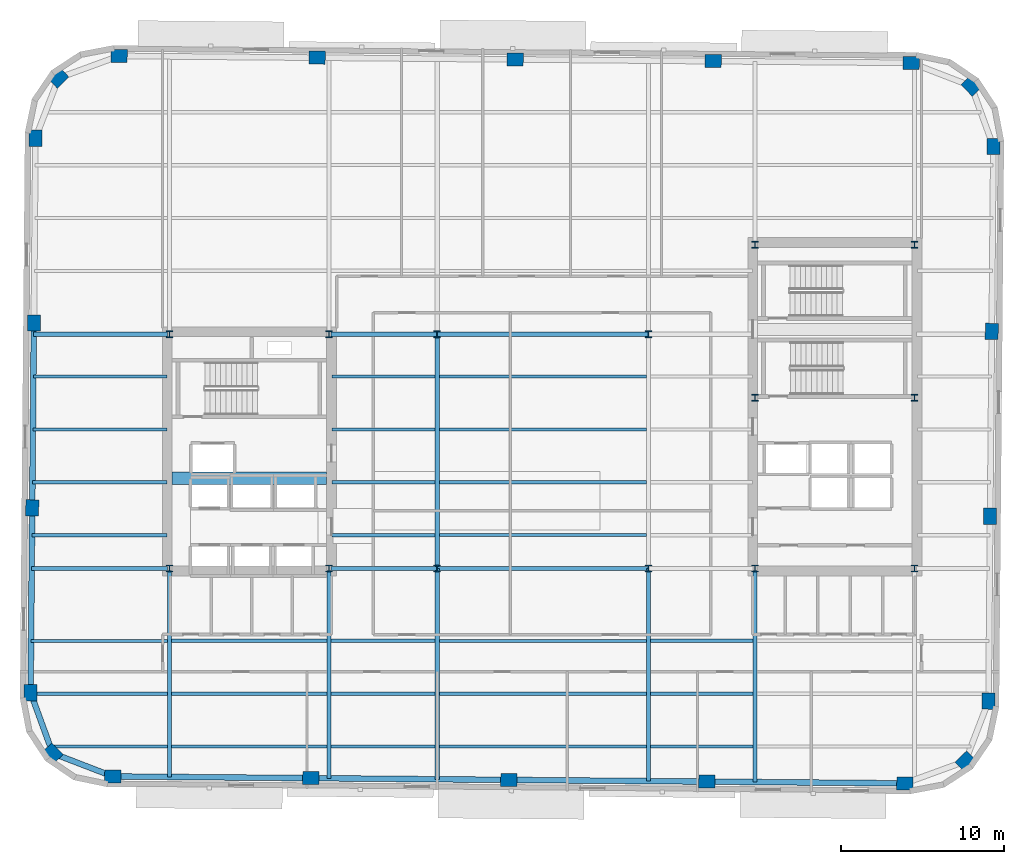
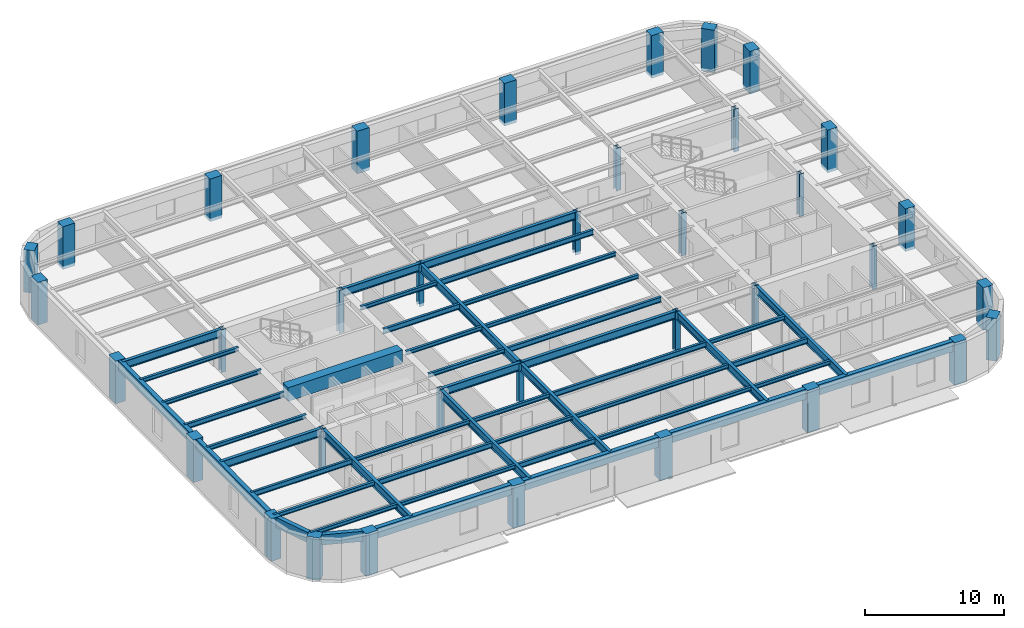
# One storey, part 1 of 11: 48 beams, 36 columns.
"""IFC4 building model written with IfcOpenShell, lengths in metres."""

from ifc_helpers import new_model, si_unit, direction, frame, origin, origin_2d, place, context, subcontext, project, spatial, rectangle, hollow_rectangle, i_section, extrude, material, material_profile, profile_set, type_object, element, save


model = new_model("IFC4")

# Units and contexts
model_context = context("Model", 3, precision=1e-05, world=origin(), true_north=direction((0.0, 1.0)))
body_context = subcontext(model_context, "Body", "Model", "MODEL_VIEW")
ifc_project = project(units=[si_unit("LENGTHUNIT", "METRE"), si_unit("AREAUNIT", "SQUARE_METRE"), si_unit("VOLUMEUNIT", "CUBIC_METRE"), si_unit("PLANEANGLEUNIT", "RADIAN"), si_unit("MASSUNIT", "GRAM", prefix="KILO")], contexts=[model_context])

# Site, building, storey
site_placement = place(None, origin())
site = spatial("IfcSite", under=ifc_project, at=site_placement, CompositionType="ELEMENT")
building_placement = place(site_placement, origin())
building = spatial("IfcBuilding", under=site, at=building_placement, Name="Kolvaren Arena Tower", CompositionType="ELEMENT")
storey_placement = place(building_placement, frame((0.0, 0.0, 162.199951171875)))
storey = spatial("IfcBuildingStorey", under=building, at=storey_placement, Name="L38", CompositionType="ELEMENT", Elevation=162.199951171875)

# Columns
ifc_material_1 = material(Name="Precast concrete C60/75", Category="concrete")
ifc_material_profile_1 = material_profile(ifc_material_1, rectangle(XDim=1.0, YDim=0.800048828125, at=origin_2d()), Name="RC-1000x800")
ifc_profile_set_1 = profile_set([ifc_material_profile_1], Name="Precast concrete C60/75")
column_type_1 = type_object("IfcColumnType", Name="EXCOL-Z3", PredefinedType="COLUMN", material=ifc_profile_set_1)
for number, where, z_axis, x_axis, name in (
    (1, (11.0576171875, 6.663330078125, -0.27001953125), (0.0, 0.0, 1.0), (0.999961923064, -0.008726535498, 0.0), "Exoskeleton Perimeter Column 01 (L38)"),
    (2, (23.232177734375, 6.55712890625, -0.27001953125), (0.0, 0.0, 1.0), (0.999961923064, -0.008726535498, 0.0), "Exoskeleton Perimeter Column 02 (L38)"),
    (3, (35.40673828125, 6.45068359375, -0.27001953125), (0.0, 0.0, 1.0), (0.999961923064, -0.008726535498, 0.0), "Exoskeleton Perimeter Column 03 (L38)"),
    (4, (47.581298828125, 6.344482421875, -0.27001953125), (0.0, 0.0, 1.0), (0.999961923064, -0.008726535498, 0.0), "Exoskeleton Perimeter Column 04 (L38)"),
    (5, (59.755859375, 6.23828125, -0.27001953125), (0.0, 0.0, 1.0), (0.999961923064, -0.008726535498, 0.0), "Exoskeleton Perimeter Column 05 (L38)"),
    (6, (63.4765625, 7.59716796875, -0.27001953125), (0.0, 0.0, 1.0), (0.713250449154, 0.7009092643, 0.0), "Exoskeleton Perimeter Column 06 (L38)"),
    (7, (64.900146484375, 11.293701171875, -0.27001953125), (0.0, 0.0, 1.0), (0.008726535498, 0.999961923064, 0.0), "Exoskeleton Perimeter Column 07 (L38)"),
    (8, (64.999267578125, 22.659912109375, -0.27001953125), (0.0, 0.0, 1.0), (0.008726535498, 0.999961923064, 0.0), "Exoskeleton Perimeter Column 08 (L38)"),
    (9, (65.098388671875, 34.026123046875, -0.27001953125), (0.0, 0.0, 1.0), (0.008726535498, 0.999961923064, 0.0), "Exoskeleton Perimeter Column 09 (L38)"),
    (10, (65.19775390625, 45.392333984375, -0.27001953125), (0.0, 0.0, 1.0), (0.008726535498, 0.999961923064, 0.0), "Exoskeleton Perimeter Column 10 (L38)"),
    (11, (63.8388671875, 49.113037109375, -0.27001953125), (0.0, 0.0, 1.0), (-0.7009092643, 0.713250449154, 0.0), "Exoskeleton Perimeter Column 11 (L38)"),
    (12, (60.142333984375, 50.53662109375, -0.27001953125), (0.0, 0.0, 1.0), (0.999961923064, -0.008726535498, 0.0), "Exoskeleton Perimeter Column 12 (L38)"),
    (13, (47.9677734375, 50.642822265625, -0.27001953125), (0.0, 0.0, 1.0), (0.999961923064, -0.008726535498, 0.0), "Exoskeleton Perimeter Column 13 (L38)"),
    (14, (35.793212890625, 50.749267578125, -0.27001953125), (0.0, 0.0, 1.0), (0.999961923064, -0.008726535498, 0.0), "Exoskeleton Perimeter Column 14 (L38)"),
    (15, (23.618896484375, 50.85546875, -0.27001953125), (0.0, 0.0, 1.0), (0.999961923064, -0.008726535498, 0.0), "Exoskeleton Perimeter Column 15 (L38)"),
    (16, (11.444091796875, 50.961669921875, -0.27001953125), (0.0, 0.0, 1.0), (0.999961923064, -0.008726535498, 0.0), "Exoskeleton Perimeter Column 16 (L38)"),
    (17, (7.723388671875, 49.602783203125, -0.27001953125), (0.0, 0.0, 1.0), (0.713250449154, 0.7009092643, 0.0), "Exoskeleton Perimeter Column 17 (L38)"),
    (18, (6.2998046875, 45.90625, -0.27001953125), (0.0, 0.0, 1.0), (0.008726535498, 0.999961923064, 0.0), "Exoskeleton Perimeter Column 18 (L38)"),
    (19, (6.20068359375, 34.5400390625, -0.27001953125), (0.0, 0.0, 1.0), (0.008726535498, 0.999961923064, 0.0), "Exoskeleton Perimeter Column 19 (L38)"),
    (20, (6.1015625, 23.173828125, -0.27001953125), (0.0, 0.0, 1.0), (0.008726535498, 0.999961923064, 0.0), "Exoskeleton Perimeter Column 20 (L38)"),
    (21, (6.002197265625, 11.8076171875, -0.27001953125), (0.0, 0.0, 1.0), (0.008726535498, 0.999961923064, 0.0), "Exoskeleton Perimeter Column 21 (L38)"),
    (22, (7.361083984375, 8.0869140625, -0.27001953125), (0.0, 0.0, 1.0), (-0.7009092643, 0.713250449154, 0.0), "Exoskeleton Perimeter Column 22 (L38)"),
):
    element("IfcColumn", number, at=place(storey_placement, frame(where, z_axis=z_axis, x_axis=x_axis)), inside=storey, type_object=column_type_1, Name=name, PredefinedType="COLUMN", context=body_context, shape_type="SweptSolid", body=[
        extrude(rectangle(XDim=1.0, YDim=0.800048828125, at=origin_2d()), origin(), (0.0, 0.0, 1.0), 3.75),
    ])
ifc_material_2 = material(Name="Steel ASTM A913 Grade 65", Category="steel")
ifc_material_profile_2 = material_profile(ifc_material_2, i_section(OverallWidth=0.406005859375, OverallDepth=0.416015625, WebThickness=0.02978515625, FlangeThickness=0.048095703125, FilletRadius=0.02001953125, at=origin_2d()), Name="W360x382")
ifc_profile_set_2 = profile_set([ifc_material_profile_2], Name="Steel ASTM A913 Grade 65")
column_type_2 = type_object("IfcColumnType", Name="SCOL-Z3", PredefinedType="COLUMN", material=ifc_profile_set_2)
for number, where, z_axis, x_axis, name in (
    (23, (14.550048828125, 19.449951171875, -0.27001953125), (0.0, 0.0, 1.0), (1.0, 0.0, 0.0), "Core Boundary Column WC-SW (L38)"),
    (24, (24.35009765625, 19.449951171875, -0.27001953125), (0.0, 0.0, 1.0), (1.0, 0.0, 0.0), "Core Boundary Column WC-SE (L38)"),
    (25, (14.550048828125, 33.85009765625, -0.27001953125), (0.0, 0.0, 1.0), (1.0, 0.0, 0.0), "Core Boundary Column WC-NW (L38)"),
    (26, (24.35009765625, 33.85009765625, -0.27001953125), (0.0, 0.0, 1.0), (1.0, 0.0, 0.0), "Core Boundary Column WC-NE (L38)"),
    (27, (50.550048828125, 19.449951171875, -0.27001953125), (0.0, 0.0, 1.0), (1.0, 0.0, 0.0), "Core Boundary Column EC-SW (L38)"),
    (28, (60.35009765625, 19.449951171875, -0.27001953125), (0.0, 0.0, 1.0), (1.0, 0.0, 0.0), "Core Boundary Column EC-SE (L38)"),
    (29, (50.550048828125, 29.949951171875, -0.27001953125), (0.0, 0.0, 1.0), (1.0, 0.0, 0.0), "Core Boundary Column EC-MW (L38)"),
    (30, (60.35009765625, 29.949951171875, -0.27001953125), (0.0, 0.0, 1.0), (1.0, 0.0, 0.0), "Core Boundary Column EC-ME (L38)"),
    (31, (50.550048828125, 39.35009765625, -0.27001953125), (0.0, 0.0, 1.0), (1.0, 0.0, 0.0), "Core Boundary Column EC-NW (L38)"),
    (32, (60.35009765625, 39.35009765625, -0.27001953125), (0.0, 0.0, 1.0), (1.0, 0.0, 0.0), "Core Boundary Column EC-NE (L38)"),
    (33, (31.0, 19.449951171875, -0.27001953125), (0.0, 0.0, 1.0), (1.0, 0.0, 0.0), "Interior Gravity Column TC-SW (L38)"),
    (34, (44.0, 19.449951171875, -0.27001953125), (0.0, 0.0, 1.0), (1.0, 0.0, 0.0), "Interior Gravity Column TC-SE (L38)"),
    (35, (31.0, 33.85009765625, -0.27001953125), (0.0, 0.0, 1.0), (1.0, 0.0, 0.0), "Interior Gravity Column TC-NW (L38)"),
    (36, (44.0, 33.85009765625, -0.27001953125), (0.0, 0.0, 1.0), (1.0, 0.0, 0.0), "Interior Gravity Column TC-NE (L38)"),
):
    element("IfcColumn", number, at=place(storey_placement, frame(where, z_axis=z_axis, x_axis=x_axis)), inside=storey, type_object=column_type_2, Name=name, PredefinedType="COLUMN", context=body_context, shape_type="SweptSolid", body=[
        extrude(i_section(OverallWidth=0.406005859375, OverallDepth=0.416015625, WebThickness=0.02978515625, FlangeThickness=0.048095703125, FilletRadius=0.02001953125, at=origin_2d()), origin(), (0.0, 0.0, 1.0), 3.75),
    ])

# Beams
ifc_material_3 = material(Name="Steel CSA G40.21 350W", Category="steel")
ifc_material_profile_3 = material_profile(ifc_material_3, i_section(OverallWidth=0.193115234375, OverallDepth=0.462890625, WebThickness=0.0107421875, FlangeThickness=0.0205078125, FilletRadius=0.012939453125, at=origin_2d()), Name="W460x113")
ifc_profile_set_3 = profile_set([ifc_material_profile_3], Name="Steel CSA G40.21 350W")
beam_type_1 = type_object("IfcBeamType", Name="BEAM-F2", PredefinedType="BEAM", material=ifc_profile_set_3)
beam_1_placement = place(storey_placement, frame((24.4775390625, 8.5, 3.24853515625), z_axis=(1.0, 0.0, 0.0), x_axis=(0.0, 1.0, 0.0)))
element("IfcBeam", 37, at=beam_1_placement, inside=storey, type_object=beam_type_1, Name="Composite Floor Beam (L38)", PredefinedType="BEAM", context=body_context, shape_type="SweptSolid", body=[
    extrude(i_section(OverallWidth=0.193115234375, OverallDepth=0.462890625, WebThickness=0.0107421875, FlangeThickness=0.0205078125, FilletRadius=0.012939453125, at=origin_2d()), origin(), (0.0, 0.0, 1.0), 6.39501953125),
])
beam_2_placement = place(storey_placement, frame((14.677490234375, 11.75, 3.24853515625), z_axis=(1.0, 0.0, 0.0), x_axis=(0.0, 1.0, 0.0)))
element("IfcBeam", 38, at=beam_2_placement, inside=storey, type_object=beam_type_1, Name="Composite Floor Beam (L38)", PredefinedType="BEAM", context=body_context, shape_type="SweptSolid", body=[
    extrude(i_section(OverallWidth=0.193115234375, OverallDepth=0.462890625, WebThickness=0.0107421875, FlangeThickness=0.0205078125, FilletRadius=0.012939453125, at=origin_2d()), origin(), (0.0, 0.0, 1.0), 9.544921875),
])
beam_3_placement = place(storey_placement, frame((44.12744140625, 11.75, 3.24853515625), z_axis=(1.0, 0.0, 0.0), x_axis=(0.0, 1.0, 0.0)))
element("IfcBeam", 39, at=beam_3_placement, inside=storey, type_object=beam_type_1, Name="Composite Floor Beam (L38)", PredefinedType="BEAM", context=body_context, shape_type="SweptSolid", body=[
    extrude(i_section(OverallWidth=0.193115234375, OverallDepth=0.462890625, WebThickness=0.0107421875, FlangeThickness=0.0205078125, FilletRadius=0.012939453125, at=origin_2d()), origin(), (0.0, 0.0, 1.0), 6.295166015625),
])
beam_4_placement = place(storey_placement, frame((6.0302734375, 15.0, 3.24853515625), z_axis=(1.0, 0.0, 0.0), x_axis=(0.0, 1.0, 0.0)))
element("IfcBeam", 40, at=beam_4_placement, inside=storey, type_object=beam_type_1, Name="Composite Floor Beam (L38)", PredefinedType="BEAM", context=body_context, shape_type="SweptSolid", body=[
    extrude(i_section(OverallWidth=0.193115234375, OverallDepth=0.462890625, WebThickness=0.0107421875, FlangeThickness=0.0205078125, FilletRadius=0.012939453125, at=origin_2d()), origin(), (0.0, 0.0, 1.0), 8.392333984375),
])
for number, where, z_axis, x_axis, name in (
    (41, (31.12744140625, 15.0, 3.24853515625), (1.0, 0.0, 0.0), (0.0, 1.0, 0.0), "Composite Floor Beam (L38)"),
    (42, (31.12744140625, 21.5, 3.24853515625), (1.0, 0.0, 0.0), (0.0, 1.0, 0.0), "Composite Floor Beam (L38)"),
):
    element("IfcBeam", number, at=place(storey_placement, frame(where, z_axis=z_axis, x_axis=x_axis)), inside=storey, type_object=beam_type_1, Name=name, PredefinedType="BEAM", context=body_context, shape_type="SweptSolid", body=[
        extrude(i_section(OverallWidth=0.193115234375, OverallDepth=0.462890625, WebThickness=0.0107421875, FlangeThickness=0.0205078125, FilletRadius=0.012939453125, at=origin_2d()), origin(), (0.0, 0.0, 1.0), 12.7451171875),
    ])
beam_5_placement = place(storey_placement, frame((6.115234375, 24.75, 3.24853515625), z_axis=(1.0, 0.0, 0.0), x_axis=(0.0, 1.0, 0.0)))
element("IfcBeam", 43, at=beam_5_placement, inside=storey, type_object=beam_type_1, Name="Composite Floor Beam (L38)", PredefinedType="BEAM", context=body_context, shape_type="SweptSolid", body=[
    extrude(i_section(OverallWidth=0.193115234375, OverallDepth=0.462890625, WebThickness=0.0107421875, FlangeThickness=0.0205078125, FilletRadius=0.012939453125, at=origin_2d()), origin(), (0.0, 0.0, 1.0), 8.2646484375),
])
beam_6_placement = place(storey_placement, frame((24.52001953125, 28.0, 3.24853515625), z_axis=(1.0, 0.0, 0.0), x_axis=(0.0, 1.0, 0.0)))
element("IfcBeam", 44, at=beam_6_placement, inside=storey, type_object=beam_type_1, Name="Composite Floor Beam (L38)", PredefinedType="BEAM", context=body_context, shape_type="SweptSolid", body=[
    extrude(i_section(OverallWidth=0.193115234375, OverallDepth=0.462890625, WebThickness=0.0107421875, FlangeThickness=0.0205078125, FilletRadius=0.012939453125, at=origin_2d()), origin(), (0.0, 0.0, 1.0), 6.3525390625),
])
beam_7_placement = place(storey_placement, frame((31.12744140625, 31.25, 3.24853515625), z_axis=(1.0, 0.0, 0.0), x_axis=(0.0, 1.0, 0.0)))
element("IfcBeam", 45, at=beam_7_placement, inside=storey, type_object=beam_type_1, Name="Composite Floor Beam (L38)", PredefinedType="BEAM", context=body_context, shape_type="SweptSolid", body=[
    extrude(i_section(OverallWidth=0.193115234375, OverallDepth=0.462890625, WebThickness=0.0107421875, FlangeThickness=0.0205078125, FilletRadius=0.012939453125, at=origin_2d()), origin(), (0.0, 0.0, 1.0), 12.7451171875),
])
ifc_material_4 = material(Name="Concrete 60 MPa", Category="concrete")
ifc_material_profile_4 = material_profile(ifc_material_4, rectangle(XDim=0.75, YDim=1.199951171875, at=origin_2d()), Name="RC-750x1200")
ifc_profile_set_4 = profile_set([ifc_material_profile_4], Name="Concrete 60 MPa")
beam_type_2 = type_object("IfcBeamType", Name="CB-CORE-2", PredefinedType="BEAM", material=ifc_profile_set_4)
beam_8_placement = place(storey_placement, frame((14.699951171875, 25.0, 3.150146484375), z_axis=(1.0, 0.0, 0.0), x_axis=(0.0, 1.0, 0.0)))
element("IfcBeam", 46, at=beam_8_placement, inside=storey, type_object=beam_type_2, Name="West Core Coupling Beam (L38)", PredefinedType="BEAM", context=body_context, shape_type="SweptSolid", body=[
    extrude(rectangle(XDim=0.75, YDim=1.199951171875, at=origin_2d()), origin(), (0.0, 0.0, 1.0), 9.5),
])
ifc_material_profile_5 = material_profile(ifc_material_3, i_section(OverallWidth=0.2548828125, OverallDepth=0.695068359375, WebThickness=0.01708984375, FlangeThickness=0.02978515625, FilletRadius=0.01611328125, at=origin_2d()), Name="W690x217")
ifc_profile_set_5 = profile_set([ifc_material_profile_5], Name="Steel CSA G40.21 350W")
beam_type_3 = type_object("IfcBeamType", Name="GIRD-T2", PredefinedType="BEAM", material=ifc_profile_set_5)
beam_9_placement = place(storey_placement, frame((6.069091796875, 19.449951171875, 3.132568359375), z_axis=(1.0, 0.0, 0.0), x_axis=(0.0, 1.0, 0.0)))
element("IfcBeam", 47, at=beam_9_placement, inside=storey, type_object=beam_type_3, Name="Primary Floor Girder (L38)", PredefinedType="BEAM", context=body_context, shape_type="SweptSolid", body=[
    extrude(i_section(OverallWidth=0.2548828125, OverallDepth=0.695068359375, WebThickness=0.01708984375, FlangeThickness=0.02978515625, FilletRadius=0.01611328125, at=origin_2d()), origin(), (0.0, 0.0, 1.0), 8.350830078125),
])
beam_10_placement = place(storey_placement, frame((24.47998046875, 19.449951171875, 3.132568359375), z_axis=(1.0, 0.0, 0.0), x_axis=(0.0, 1.0, 0.0)))
element("IfcBeam", 48, at=beam_10_placement, inside=storey, type_object=beam_type_3, Name="Primary Floor Girder (L38)", PredefinedType="BEAM", context=body_context, shape_type="SweptSolid", body=[
    extrude(i_section(OverallWidth=0.2548828125, OverallDepth=0.695068359375, WebThickness=0.01708984375, FlangeThickness=0.02978515625, FilletRadius=0.01611328125, at=origin_2d()), origin(), (0.0, 0.0, 1.0), 6.52001953125),
])
beam_11_placement = place(storey_placement, frame((31.0, 19.449951171875, 3.132568359375), z_axis=(1.0, 0.0, 0.0), x_axis=(0.0, 1.0, 0.0)))
element("IfcBeam", 49, at=beam_11_placement, inside=storey, type_object=beam_type_3, Name="Primary Floor Girder (L38)", PredefinedType="BEAM", context=body_context, shape_type="SweptSolid", body=[
    extrude(i_section(OverallWidth=0.2548828125, OverallDepth=0.695068359375, WebThickness=0.01708984375, FlangeThickness=0.02978515625, FilletRadius=0.01611328125, at=origin_2d()), origin(), (0.0, 0.0, 1.0), 13.0),
])
beam_12_placement = place(storey_placement, frame((6.194580078125, 33.85009765625, 3.132568359375), z_axis=(1.0, 0.0, 0.0), x_axis=(0.0, 1.0, 0.0)))
element("IfcBeam", 50, at=beam_12_placement, inside=storey, type_object=beam_type_3, Name="Primary Floor Girder (L38)", PredefinedType="BEAM", context=body_context, shape_type="SweptSolid", body=[
    extrude(i_section(OverallWidth=0.2548828125, OverallDepth=0.695068359375, WebThickness=0.01708984375, FlangeThickness=0.02978515625, FilletRadius=0.01611328125, at=origin_2d()), origin(), (0.0, 0.0, 1.0), 8.225341796875),
])
beam_13_placement = place(storey_placement, frame((24.47998046875, 33.85009765625, 3.132568359375), z_axis=(1.0, 0.0, 0.0), x_axis=(0.0, 1.0, 0.0)))
element("IfcBeam", 51, at=beam_13_placement, inside=storey, type_object=beam_type_3, Name="Primary Floor Girder (L38)", PredefinedType="BEAM", context=body_context, shape_type="SweptSolid", body=[
    extrude(i_section(OverallWidth=0.2548828125, OverallDepth=0.695068359375, WebThickness=0.01708984375, FlangeThickness=0.02978515625, FilletRadius=0.01611328125, at=origin_2d()), origin(), (0.0, 0.0, 1.0), 6.52001953125),
])
beam_14_placement = place(storey_placement, frame((31.0, 33.85009765625, 3.132568359375), z_axis=(1.0, 0.0, 0.0), x_axis=(0.0, 1.0, 0.0)))
element("IfcBeam", 52, at=beam_14_placement, inside=storey, type_object=beam_type_3, Name="Primary Floor Girder (L38)", PredefinedType="BEAM", context=body_context, shape_type="SweptSolid", body=[
    extrude(i_section(OverallWidth=0.2548828125, OverallDepth=0.695068359375, WebThickness=0.01708984375, FlangeThickness=0.02978515625, FilletRadius=0.01611328125, at=origin_2d()), origin(), (0.0, 0.0, 1.0), 13.0),
])
beam_15_placement = place(storey_placement, frame((14.550048828125, 6.6328125, 3.132568359375), z_axis=(0.0, 1.0, 0.0), x_axis=(-1.0, 0.0, 0.0)))
element("IfcBeam", 53, at=beam_15_placement, inside=storey, type_object=beam_type_3, Name="Primary Floor Girder (L38)", PredefinedType="BEAM", context=body_context, shape_type="SweptSolid", body=[
    extrude(i_section(OverallWidth=0.2548828125, OverallDepth=0.695068359375, WebThickness=0.01708984375, FlangeThickness=0.02978515625, FilletRadius=0.01611328125, at=origin_2d()), origin(), (0.0, 0.0, 1.0), 12.687255859375),
])
beam_16_placement = place(storey_placement, frame((24.35009765625, 6.54736328125, 3.132568359375), z_axis=(0.0, 1.0, 0.0), x_axis=(-1.0, 0.0, 0.0)))
element("IfcBeam", 54, at=beam_16_placement, inside=storey, type_object=beam_type_3, Name="Primary Floor Girder (L38)", PredefinedType="BEAM", context=body_context, shape_type="SweptSolid", body=[
    extrude(i_section(OverallWidth=0.2548828125, OverallDepth=0.695068359375, WebThickness=0.01708984375, FlangeThickness=0.02978515625, FilletRadius=0.01611328125, at=origin_2d()), origin(), (0.0, 0.0, 1.0), 12.772705078125),
])
beam_17_placement = place(storey_placement, frame((31.0, 6.4892578125, 3.132568359375), z_axis=(0.0, 1.0, 0.0), x_axis=(-1.0, 0.0, 0.0)))
element("IfcBeam", 55, at=beam_17_placement, inside=storey, type_object=beam_type_3, Name="Primary Floor Girder (L38)", PredefinedType="BEAM", context=body_context, shape_type="SweptSolid", body=[
    extrude(i_section(OverallWidth=0.2548828125, OverallDepth=0.695068359375, WebThickness=0.01708984375, FlangeThickness=0.02978515625, FilletRadius=0.01611328125, at=origin_2d()), origin(), (0.0, 0.0, 1.0), 12.960693359375),
])
beam_18_placement = place(storey_placement, frame((31.0, 19.449951171875, 3.132568359375), z_axis=(0.0, 1.0, 0.0), x_axis=(-1.0, 0.0, 0.0)))
element("IfcBeam", 56, at=beam_18_placement, inside=storey, type_object=beam_type_3, Name="Primary Floor Girder (L38)", PredefinedType="BEAM", context=body_context, shape_type="SweptSolid", body=[
    extrude(i_section(OverallWidth=0.2548828125, OverallDepth=0.695068359375, WebThickness=0.01708984375, FlangeThickness=0.02978515625, FilletRadius=0.01611328125, at=origin_2d()), origin(), (0.0, 0.0, 1.0), 14.400146484375),
])
beam_19_placement = place(storey_placement, frame((44.0, 6.375732421875, 3.132568359375), z_axis=(0.0, 1.0, 0.0), x_axis=(-1.0, 0.0, 0.0)))
element("IfcBeam", 57, at=beam_19_placement, inside=storey, type_object=beam_type_3, Name="Primary Floor Girder (L38)", PredefinedType="BEAM", context=body_context, shape_type="SweptSolid", body=[
    extrude(i_section(OverallWidth=0.2548828125, OverallDepth=0.695068359375, WebThickness=0.01708984375, FlangeThickness=0.02978515625, FilletRadius=0.01611328125, at=origin_2d()), origin(), (0.0, 0.0, 1.0), 13.07421875),
])
beam_20_placement = place(storey_placement, frame((50.550048828125, 6.318603515625, 3.132568359375), z_axis=(0.0, 1.0, 0.0), x_axis=(-1.0, 0.0, 0.0)))
element("IfcBeam", 58, at=beam_20_placement, inside=storey, type_object=beam_type_3, Name="Primary Floor Girder (L38)", PredefinedType="BEAM", context=body_context, shape_type="SweptSolid", body=[
    extrude(i_section(OverallWidth=0.2548828125, OverallDepth=0.695068359375, WebThickness=0.01708984375, FlangeThickness=0.02978515625, FilletRadius=0.01611328125, at=origin_2d()), origin(), (0.0, 0.0, 1.0), 13.00146484375),
])
ifc_material_profile_6 = material_profile(ifc_material_3, i_section(OverallWidth=0.202880859375, OverallDepth=0.346923828125, WebThickness=0.0078125, FlangeThickness=0.013427734375, FilletRadius=0.010986328125, at=origin_2d()), Name="W360x64")
ifc_profile_set_6 = profile_set([ifc_material_profile_6], Name="Steel CSA G40.21 350W")
beam_type_4 = type_object("IfcBeamType", Name="JOIST-01", PredefinedType="JOIST", material=ifc_profile_set_6)
beam_21_placement = place(storey_placement, frame((7.210205078125, 8.5, 3.306640625), z_axis=(1.0, 0.0, 0.0), x_axis=(0.0, 1.0, 0.0)))
element("IfcBeam", 59, at=beam_21_placement, inside=storey, type_object=beam_type_4, Name="Composite Floor Joist (L38)", PredefinedType="JOIST", context=body_context, shape_type="SweptSolid", body=[
    extrude(i_section(OverallWidth=0.202880859375, OverallDepth=0.346923828125, WebThickness=0.0078125, FlangeThickness=0.013427734375, FilletRadius=0.010986328125, at=origin_2d()), origin(), (0.0, 0.0, 1.0), 7.21240234375),
])
beam_22_placement = place(storey_placement, frame((14.677490234375, 8.5, 3.306640625), z_axis=(1.0, 0.0, 0.0), x_axis=(0.0, 1.0, 0.0)))
element("IfcBeam", 60, at=beam_22_placement, inside=storey, type_object=beam_type_4, Name="Composite Floor Joist (L38)", PredefinedType="JOIST", context=body_context, shape_type="SweptSolid", body=[
    extrude(i_section(OverallWidth=0.202880859375, OverallDepth=0.346923828125, WebThickness=0.0078125, FlangeThickness=0.013427734375, FilletRadius=0.010986328125, at=origin_2d()), origin(), (0.0, 0.0, 1.0), 9.544921875),
])
beam_23_placement = place(storey_placement, frame((31.12744140625, 8.5, 3.306640625), z_axis=(1.0, 0.0, 0.0), x_axis=(0.0, 1.0, 0.0)))
element("IfcBeam", 61, at=beam_23_placement, inside=storey, type_object=beam_type_4, Name="Composite Floor Joist (L38)", PredefinedType="JOIST", context=body_context, shape_type="SweptSolid", body=[
    extrude(i_section(OverallWidth=0.202880859375, OverallDepth=0.346923828125, WebThickness=0.0078125, FlangeThickness=0.013427734375, FilletRadius=0.010986328125, at=origin_2d()), origin(), (0.0, 0.0, 1.0), 12.7451171875),
])
beam_24_placement = place(storey_placement, frame((44.12744140625, 8.5, 3.306640625), z_axis=(1.0, 0.0, 0.0), x_axis=(0.0, 1.0, 0.0)))
element("IfcBeam", 62, at=beam_24_placement, inside=storey, type_object=beam_type_4, Name="Composite Floor Joist (L38)", PredefinedType="JOIST", context=body_context, shape_type="SweptSolid", body=[
    extrude(i_section(OverallWidth=0.202880859375, OverallDepth=0.346923828125, WebThickness=0.0078125, FlangeThickness=0.013427734375, FilletRadius=0.010986328125, at=origin_2d()), origin(), (0.0, 0.0, 1.0), 6.295166015625),
])
beam_25_placement = place(storey_placement, frame((6.023193359375, 11.75, 3.306640625), z_axis=(1.0, 0.0, 0.0), x_axis=(0.0, 1.0, 0.0)))
element("IfcBeam", 63, at=beam_25_placement, inside=storey, type_object=beam_type_4, Name="Composite Floor Joist (L38)", PredefinedType="JOIST", context=body_context, shape_type="SweptSolid", body=[
    extrude(i_section(OverallWidth=0.202880859375, OverallDepth=0.346923828125, WebThickness=0.0078125, FlangeThickness=0.013427734375, FilletRadius=0.010986328125, at=origin_2d()), origin(), (0.0, 0.0, 1.0), 8.3994140625),
])
beam_26_placement = place(storey_placement, frame((24.4775390625, 11.75, 3.306640625), z_axis=(1.0, 0.0, 0.0), x_axis=(0.0, 1.0, 0.0)))
element("IfcBeam", 64, at=beam_26_placement, inside=storey, type_object=beam_type_4, Name="Composite Floor Joist (L38)", PredefinedType="JOIST", context=body_context, shape_type="SweptSolid", body=[
    extrude(i_section(OverallWidth=0.202880859375, OverallDepth=0.346923828125, WebThickness=0.0078125, FlangeThickness=0.013427734375, FilletRadius=0.010986328125, at=origin_2d()), origin(), (0.0, 0.0, 1.0), 6.39501953125),
])
beam_27_placement = place(storey_placement, frame((31.12744140625, 11.75, 3.306640625), z_axis=(1.0, 0.0, 0.0), x_axis=(0.0, 1.0, 0.0)))
element("IfcBeam", 65, at=beam_27_placement, inside=storey, type_object=beam_type_4, Name="Composite Floor Joist (L38)", PredefinedType="JOIST", context=body_context, shape_type="SweptSolid", body=[
    extrude(i_section(OverallWidth=0.202880859375, OverallDepth=0.346923828125, WebThickness=0.0078125, FlangeThickness=0.013427734375, FilletRadius=0.010986328125, at=origin_2d()), origin(), (0.0, 0.0, 1.0), 12.7451171875),
])
beam_28_placement = place(storey_placement, frame((14.677490234375, 15.0, 3.306640625), z_axis=(1.0, 0.0, 0.0), x_axis=(0.0, 1.0, 0.0)))
element("IfcBeam", 66, at=beam_28_placement, inside=storey, type_object=beam_type_4, Name="Composite Floor Joist (L38)", PredefinedType="JOIST", context=body_context, shape_type="SweptSolid", body=[
    extrude(i_section(OverallWidth=0.202880859375, OverallDepth=0.346923828125, WebThickness=0.0078125, FlangeThickness=0.013427734375, FilletRadius=0.010986328125, at=origin_2d()), origin(), (0.0, 0.0, 1.0), 9.544921875),
])
beam_29_placement = place(storey_placement, frame((24.4775390625, 15.0, 3.306640625), z_axis=(1.0, 0.0, 0.0), x_axis=(0.0, 1.0, 0.0)))
element("IfcBeam", 67, at=beam_29_placement, inside=storey, type_object=beam_type_4, Name="Composite Floor Joist (L38)", PredefinedType="JOIST", context=body_context, shape_type="SweptSolid", body=[
    extrude(i_section(OverallWidth=0.202880859375, OverallDepth=0.346923828125, WebThickness=0.0078125, FlangeThickness=0.013427734375, FilletRadius=0.010986328125, at=origin_2d()), origin(), (0.0, 0.0, 1.0), 6.39501953125),
])
beam_30_placement = place(storey_placement, frame((44.12744140625, 15.0, 3.306640625), z_axis=(1.0, 0.0, 0.0), x_axis=(0.0, 1.0, 0.0)))
element("IfcBeam", 68, at=beam_30_placement, inside=storey, type_object=beam_type_4, Name="Composite Floor Joist (L38)", PredefinedType="JOIST", context=body_context, shape_type="SweptSolid", body=[
    extrude(i_section(OverallWidth=0.202880859375, OverallDepth=0.346923828125, WebThickness=0.0078125, FlangeThickness=0.013427734375, FilletRadius=0.010986328125, at=origin_2d()), origin(), (0.0, 0.0, 1.0), 6.295166015625),
])
beam_31_placement = place(storey_placement, frame((6.0869140625, 21.5, 3.306640625), z_axis=(1.0, 0.0, 0.0), x_axis=(0.0, 1.0, 0.0)))
element("IfcBeam", 69, at=beam_31_placement, inside=storey, type_object=beam_type_4, Name="Composite Floor Joist (L38)", PredefinedType="JOIST", context=body_context, shape_type="SweptSolid", body=[
    extrude(i_section(OverallWidth=0.202880859375, OverallDepth=0.346923828125, WebThickness=0.0078125, FlangeThickness=0.013427734375, FilletRadius=0.010986328125, at=origin_2d()), origin(), (0.0, 0.0, 1.0), 8.29296875),
])
for number, where, z_axis, x_axis, name in (
    (70, (24.52001953125, 21.5, 3.306640625), (1.0, 0.0, 0.0), (0.0, 1.0, 0.0), "Composite Floor Joist (L38)"),
    (71, (24.52001953125, 24.75, 3.306640625), (1.0, 0.0, 0.0), (0.0, 1.0, 0.0), "Composite Floor Joist (L38)"),
):
    element("IfcBeam", number, at=place(storey_placement, frame(where, z_axis=z_axis, x_axis=x_axis)), inside=storey, type_object=beam_type_4, Name=name, PredefinedType="JOIST", context=body_context, shape_type="SweptSolid", body=[
        extrude(i_section(OverallWidth=0.202880859375, OverallDepth=0.346923828125, WebThickness=0.0078125, FlangeThickness=0.013427734375, FilletRadius=0.010986328125, at=origin_2d()), origin(), (0.0, 0.0, 1.0), 6.3525390625),
    ])
beam_32_placement = place(storey_placement, frame((31.12744140625, 24.75, 3.306640625), z_axis=(1.0, 0.0, 0.0), x_axis=(0.0, 1.0, 0.0)))
element("IfcBeam", 72, at=beam_32_placement, inside=storey, type_object=beam_type_4, Name="Composite Floor Joist (L38)", PredefinedType="JOIST", context=body_context, shape_type="SweptSolid", body=[
    extrude(i_section(OverallWidth=0.202880859375, OverallDepth=0.346923828125, WebThickness=0.0078125, FlangeThickness=0.013427734375, FilletRadius=0.010986328125, at=origin_2d()), origin(), (0.0, 0.0, 1.0), 12.7451171875),
])
beam_33_placement = place(storey_placement, frame((6.1435546875, 28.0, 3.306640625), z_axis=(1.0, 0.0, 0.0), x_axis=(0.0, 1.0, 0.0)))
element("IfcBeam", 73, at=beam_33_placement, inside=storey, type_object=beam_type_4, Name="Composite Floor Joist (L38)", PredefinedType="JOIST", context=body_context, shape_type="SweptSolid", body=[
    extrude(i_section(OverallWidth=0.202880859375, OverallDepth=0.346923828125, WebThickness=0.0078125, FlangeThickness=0.013427734375, FilletRadius=0.010986328125, at=origin_2d()), origin(), (0.0, 0.0, 1.0), 8.236328125),
])
beam_34_placement = place(storey_placement, frame((31.12744140625, 28.0, 3.306640625), z_axis=(1.0, 0.0, 0.0), x_axis=(0.0, 1.0, 0.0)))
element("IfcBeam", 74, at=beam_34_placement, inside=storey, type_object=beam_type_4, Name="Composite Floor Joist (L38)", PredefinedType="JOIST", context=body_context, shape_type="SweptSolid", body=[
    extrude(i_section(OverallWidth=0.202880859375, OverallDepth=0.346923828125, WebThickness=0.0078125, FlangeThickness=0.013427734375, FilletRadius=0.010986328125, at=origin_2d()), origin(), (0.0, 0.0, 1.0), 12.7451171875),
])
beam_35_placement = place(storey_placement, frame((6.172119140625, 31.25, 3.306640625), z_axis=(1.0, 0.0, 0.0), x_axis=(0.0, 1.0, 0.0)))
element("IfcBeam", 75, at=beam_35_placement, inside=storey, type_object=beam_type_4, Name="Composite Floor Joist (L38)", PredefinedType="JOIST", context=body_context, shape_type="SweptSolid", body=[
    extrude(i_section(OverallWidth=0.202880859375, OverallDepth=0.346923828125, WebThickness=0.0078125, FlangeThickness=0.013427734375, FilletRadius=0.010986328125, at=origin_2d()), origin(), (0.0, 0.0, 1.0), 8.207763671875),
])
beam_36_placement = place(storey_placement, frame((24.52001953125, 31.25, 3.306640625), z_axis=(1.0, 0.0, 0.0), x_axis=(0.0, 1.0, 0.0)))
element("IfcBeam", 76, at=beam_36_placement, inside=storey, type_object=beam_type_4, Name="Composite Floor Joist (L38)", PredefinedType="JOIST", context=body_context, shape_type="SweptSolid", body=[
    extrude(i_section(OverallWidth=0.202880859375, OverallDepth=0.346923828125, WebThickness=0.0078125, FlangeThickness=0.013427734375, FilletRadius=0.010986328125, at=origin_2d()), origin(), (0.0, 0.0, 1.0), 6.3525390625),
])
ifc_material_5 = material(Name="Steel CSA G40.21 350WT", Category="steel")
ifc_material_profile_7 = material_profile(ifc_material_5, hollow_rectangle(XDim=0.35009765625, YDim=0.89990234375, WallThickness=0.02001953125, at=origin_2d()), Name="HSS 900x350x20")
ifc_profile_set_7 = profile_set([ifc_material_profile_7], Name="Steel CSA G40.21 350WT")
beam_type_5 = type_object("IfcBeamType", Name="SPAND-01", PredefinedType="SPANDREL", material=ifc_profile_set_7)
for number, where, z_axis, x_axis, name in (
    (77, (11.0576171875, 6.663330078125, 3.030029296875), (0.99996195503, -0.008722871848, 0.0), (0.008722871848, 0.99996195503, 0.0), "Perimeter Spandrel Beam (L38)"),
    (78, (23.232177734375, 6.55712890625, 3.030029296875), (0.999961779919, -0.008742922896, 0.0), (0.008742922896, 0.999961779919, 0.0), "Perimeter Spandrel Beam (L38)"),
    (79, (35.40673828125, 6.45068359375, 3.030029296875), (0.99996195503, -0.008722871848, 0.0), (0.008722871848, 0.99996195503, 0.0), "Perimeter Spandrel Beam (L38)"),
    (80, (47.581298828125, 6.344482421875, 3.030029296875), (0.99996195503, -0.008722871848, 0.0), (0.008722871848, 0.99996195503, 0.0), "Perimeter Spandrel Beam (L38)"),
):
    element("IfcBeam", number, at=place(storey_placement, frame(where, z_axis=z_axis, x_axis=x_axis)), inside=storey, type_object=beam_type_5, Name=name, PredefinedType="SPANDREL", context=body_context, shape_type="SweptSolid", body=[
        extrude(hollow_rectangle(XDim=0.35009765625, YDim=0.89990234375, WallThickness=0.02001953125, at=origin_2d()), origin(), (0.0, 0.0, 1.0), 12.175048828125),
    ])
for number, where, z_axis, x_axis, name in (
    (81, (6.20068359375, 34.5400390625, 3.030029296875), (-0.008720348885, -0.999961977035, 0.0), (0.999961977035, -0.008720348885, 0.0), "Perimeter Spandrel Beam (L38)"),
    (82, (6.1015625, 23.173828125, 3.030029296875), (-0.008741825937, -0.99996178951, 0.0), (0.99996178951, -0.008741825937, 0.0), "Perimeter Spandrel Beam (L38)"),
):
    element("IfcBeam", number, at=place(storey_placement, frame(where, z_axis=z_axis, x_axis=x_axis)), inside=storey, type_object=beam_type_5, Name=name, PredefinedType="SPANDREL", context=body_context, shape_type="SweptSolid", body=[
        extrude(hollow_rectangle(XDim=0.35009765625, YDim=0.89990234375, WallThickness=0.02001953125, at=origin_2d()), origin(), (0.0, 0.0, 1.0), 11.36669921875),
    ])
for number, where, z_axis, x_axis, name in (
    (83, (6.002197265625, 11.8076171875, 3.030029296875), (0.343059102458, -0.939313819882, 0.0), (0.939313819882, 0.343059102458, 0.0), "Perimeter Spandrel Beam (L38)"),
    (84, (7.361083984375, 8.0869140625, 3.030029296875), (0.933189846698, -0.359383792094, 0.0), (0.359383792094, 0.933189846698, 0.0), "Perimeter Spandrel Beam (L38)"),
):
    element("IfcBeam", number, at=place(storey_placement, frame(where, z_axis=z_axis, x_axis=x_axis)), inside=storey, type_object=beam_type_5, Name=name, PredefinedType="SPANDREL", context=body_context, shape_type="SweptSolid", body=[
        extrude(hollow_rectangle(XDim=0.35009765625, YDim=0.89990234375, WallThickness=0.02001953125, at=origin_2d()), origin(), (0.0, 0.0, 1.0), 3.961181640625),
    ])

save(model, "model.ifc")
